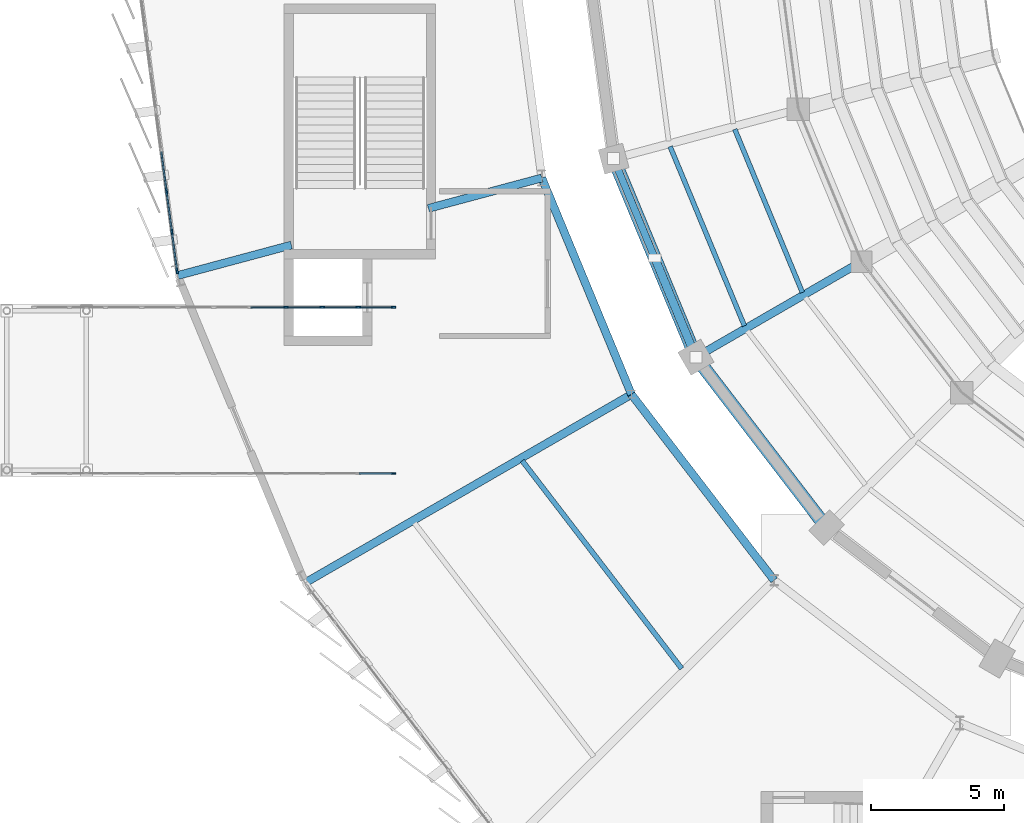
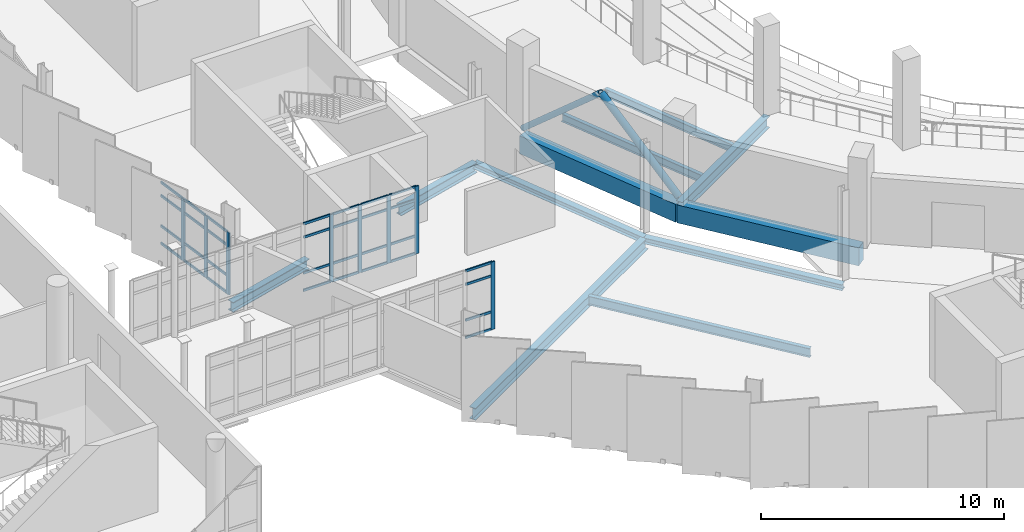
# One storey, part 31 of 134: 42 members, 11 beams, 3 elements without a shape of their own.
"""IFC4 building model written with IfcOpenShell, lengths in metres."""

from ifc_helpers import new_model, si_unit, direction, frame, origin, origin_2d, place, context, subcontext, project, spatial, rectangle, hollow_circle, i_section, extrude, material, layer, layer_set, material_profile, profile_set, type_object, element, aggregate, save


model = new_model("IFC4")

# Units and contexts
model_context = context("Model", 3, precision=1e-05, world=origin(), true_north=direction((0.0, 1.0)))
body_context = subcontext(model_context, "Body", "Model", "MODEL_VIEW")
ifc_project = project(units=[si_unit("LENGTHUNIT", "METRE"), si_unit("AREAUNIT", "SQUARE_METRE"), si_unit("VOLUMEUNIT", "CUBIC_METRE"), si_unit("PLANEANGLEUNIT", "RADIAN"), si_unit("MASSUNIT", "GRAM", prefix="KILO")], contexts=[model_context])

# Site, building, storey
site_placement = place(None, origin())
site = spatial("IfcSite", under=ifc_project, at=site_placement, CompositionType="ELEMENT")
building_placement = place(site_placement, origin())
building = spatial("IfcBuilding", under=site, at=building_placement, Name="Sohan Crest Arena", CompositionType="ELEMENT")
storey_placement = place(building_placement, frame((0.0, 0.0, 4.5)))
storey = spatial("IfcBuildingStorey", under=building, at=storey_placement, Name="L01", CompositionType="ELEMENT", Elevation=4.5)

# Curtain wall, member
ifc_material_1 = material(Name="Thermally broken anodised aluminium", Category="aluminium")
ifc_layer_1 = layer(ifc_material_1, 0.18994140625, Name="Thermally broken anodised aluminium")
ifc_layer_set_1 = layer_set([ifc_layer_1], Name="Thermally broken anodised aluminium")
curtain_wall_type_1 = type_object("IfcCurtainWallType", Name="ARC-CW05", PredefinedType="NOTDEFINED", material=ifc_layer_set_1)
curtain_wall_1_placement = place(storey_placement, origin())
curtain_wall_1 = element("IfcCurtainWall", 1, at=curtain_wall_1_placement, inside=storey, type_object=curtain_wall_type_1, Name="Unitised curtain wall CW-225", PredefinedType="NOTDEFINED")
ifc_material_profile_1 = material_profile(ifc_material_1, rectangle(XDim=0.06494140625, YDim=0.179931640625, at=origin_2d()), Name="ALU-MULL 65x180")
ifc_profile_set_1 = profile_set([ifc_material_profile_1], Name="Thermally broken anodised aluminium")
member_type_1 = type_object("IfcMemberType", Name="ARC-CW-ML02", PredefinedType="MULLION", material=ifc_profile_set_1)
member_1_placement = place(storey_placement, frame((59.767578125, 58.1201171875, 0.0), z_axis=(0.0, 0.0, 1.0), x_axis=(0.0, 1.0, 0.0)))
member_1 = element("IfcMember", 2, at=member_1_placement, type_object=member_type_1, Name="CW-225 mullion 11", PredefinedType="MULLION", context=body_context, shape_type="SweptSolid", body=[
    extrude(rectangle(XDim=0.06494140625, YDim=0.179931640625, at=origin_2d()), origin(), (0.0, 0.0, 1.0), 3.39990234375),
])

# Curtain wall, members
curtain_wall_2_placement = place(storey_placement, origin())
curtain_wall_2 = element("IfcCurtainWall", 3, at=curtain_wall_2_placement, inside=storey, type_object=curtain_wall_type_1, Name="Unitised curtain wall CW-226", PredefinedType="NOTDEFINED")
member_2_placement = place(storey_placement, frame((55.719970703125, 64.3798828125, 0.0), z_axis=(0.0, 0.0, 1.0), x_axis=(0.0, 1.0, 0.0)))
member_2 = element("IfcMember", 4, at=member_2_placement, type_object=member_type_1, Name="CW-226 mullion 8", PredefinedType="MULLION", context=body_context, shape_type="SweptSolid", body=[
    extrude(rectangle(XDim=0.06494140625, YDim=0.179931640625, at=origin_2d()), origin(), (0.0, 0.0, 1.0), 3.39990234375),
])
member_3_placement = place(storey_placement, frame((57.080078125, 64.3798828125, 0.0), z_axis=(0.0, 0.0, 1.0), x_axis=(0.0, 1.0, 0.0)))
member_3 = element("IfcMember", 5, at=member_3_placement, type_object=member_type_1, Name="CW-226 mullion 9", PredefinedType="MULLION", context=body_context, shape_type="SweptSolid", body=[
    extrude(rectangle(XDim=0.06494140625, YDim=0.179931640625, at=origin_2d()), origin(), (0.0, 0.0, 1.0), 3.39990234375),
])
member_4_placement = place(storey_placement, frame((58.43994140625, 64.3798828125, 0.0), z_axis=(0.0, 0.0, 1.0), x_axis=(0.0, 1.0, 0.0)))
member_4 = element("IfcMember", 6, at=member_4_placement, type_object=member_type_1, Name="CW-226 mullion 10", PredefinedType="MULLION", context=body_context, shape_type="SweptSolid", body=[
    extrude(rectangle(XDim=0.06494140625, YDim=0.179931640625, at=origin_2d()), origin(), (0.0, 0.0, 1.0), 3.39990234375),
])
member_5_placement = place(storey_placement, frame((59.767578125, 64.3798828125, 0.0), z_axis=(0.0, 0.0, 1.0), x_axis=(0.0, 1.0, 0.0)))
member_5 = element("IfcMember", 7, at=member_5_placement, type_object=member_type_1, Name="CW-226 mullion 11", PredefinedType="MULLION", context=body_context, shape_type="SweptSolid", body=[
    extrude(rectangle(XDim=0.06494140625, YDim=0.179931640625, at=origin_2d()), origin(), (0.0, 0.0, 1.0), 3.39990234375),
])

ifc_layer_2 = layer(ifc_material_1, 0.179931640625, Name="Thermally broken anodised aluminium")
ifc_layer_set_2 = layer_set([ifc_layer_2], Name="Thermally broken anodised aluminium")
curtain_wall_type_2 = type_object("IfcCurtainWallType", Name="ARC-CW01", PredefinedType="NOTDEFINED", material=ifc_layer_set_2)
curtain_wall_3_placement = place(storey_placement, origin())
curtain_wall_3 = element("IfcCurtainWall", 8, at=curtain_wall_3_placement, inside=storey, type_object=curtain_wall_type_2, Name="Unitised curtain wall CW-025", PredefinedType="NOTDEFINED")
ifc_material_profile_2 = material_profile(ifc_material_1, rectangle(XDim=0.070068359375, YDim=0.199951171875, at=origin_2d()), Name="ALU-MULL 70x200")
ifc_profile_set_2 = profile_set([ifc_material_profile_2], Name="Thermally broken anodised aluminium")
member_type_2 = type_object("IfcMemberType", Name="ARC-CW-ML03", PredefinedType="MULLION", material=ifc_profile_set_2)
member_6_placement = place(storey_placement, frame((51.218505859375, 68.747314453125, 0.0), z_axis=(0.0, 0.0, 1.0), x_axis=(0.991440142438, 0.130562031094, 0.0)))
member_6 = element("IfcMember", 9, at=member_6_placement, type_object=member_type_2, Name="CW-025 mullion 7", PredefinedType="MULLION", context=body_context, shape_type="SweptSolid", body=[
    extrude(rectangle(XDim=0.070068359375, YDim=0.199951171875, at=origin_2d()), origin(), (0.0, 0.0, 1.0), 3.1201171875),
])
member_7_placement = place(storey_placement, frame((51.418701171875, 67.2265625, 0.0), z_axis=(0.0, 0.0, 1.0), x_axis=(0.991440142438, 0.130562031094, 0.0)))
member_7 = element("IfcMember", 10, at=member_7_placement, type_object=member_type_2, Name="CW-025 mullion 8", PredefinedType="MULLION", context=body_context, shape_type="SweptSolid", body=[
    extrude(rectangle(XDim=0.070068359375, YDim=0.199951171875, at=origin_2d()), origin(), (0.0, 0.0, 1.0), 3.1201171875),
])
member_8_placement = place(storey_placement, frame((51.614501953125, 65.74072265625, 0.0), z_axis=(0.0, 0.0, 1.0), x_axis=(0.991440142438, 0.130562031094, 0.0)))
member_8 = element("IfcMember", 11, at=member_8_placement, type_object=member_type_2, Name="CW-025 mullion 9", PredefinedType="MULLION", context=body_context, shape_type="SweptSolid", body=[
    extrude(rectangle(XDim=0.070068359375, YDim=0.199951171875, at=origin_2d()), origin(), (0.0, 0.0, 1.0), 3.1201171875),
])
ifc_material_profile_3 = material_profile(ifc_material_1, rectangle(XDim=0.06005859375, YDim=0.1201171875, at=origin_2d()), Name="ALU-TRAN 60x120")
ifc_profile_set_3 = profile_set([ifc_material_profile_3], Name="Thermally broken anodised aluminium")
member_type_3 = type_object("IfcMemberType", Name="ARC-CW-TR01", PredefinedType="USERDEFINED", material=ifc_profile_set_3)
member_9_placement = place(storey_placement, frame((51.022705078125, 70.233154296875, 0.030029296875), z_axis=(0.130601209806, -0.991434982234, 0.0), x_axis=(0.991434982234, 0.130601209806, 0.0)))
member_9 = element("IfcMember", 12, at=member_9_placement, type_object=member_type_3, Name="CW-025 transom 6.1", ObjectType="TRANSOM", PredefinedType="USERDEFINED", context=body_context, shape_type="SweptSolid", body=[
    extrude(rectangle(XDim=0.06005859375, YDim=0.1201171875, at=origin_2d()), origin(), (0.0, 0.0, 1.0), 1.463623046875),
])
member_10_placement = place(storey_placement, frame((51.022705078125, 70.233154296875, 0.89990234375), z_axis=(0.130601209806, -0.991434982234, 0.0), x_axis=(0.991434982234, 0.130601209806, 0.0)))
member_10 = element("IfcMember", 13, at=member_10_placement, type_object=member_type_3, Name="CW-025 transom 6.2", ObjectType="TRANSOM", PredefinedType="USERDEFINED", context=body_context, shape_type="SweptSolid", body=[
    extrude(rectangle(XDim=0.06005859375, YDim=0.1201171875, at=origin_2d()), origin(), (0.0, 0.0, 1.0), 1.463623046875),
])
member_11_placement = place(storey_placement, frame((51.022705078125, 70.233154296875, 2.419921875), z_axis=(0.130601209806, -0.991434982234, 0.0), x_axis=(0.991434982234, 0.130601209806, 0.0)))
member_11 = element("IfcMember", 14, at=member_11_placement, type_object=member_type_3, Name="CW-025 transom 6.3", ObjectType="TRANSOM", PredefinedType="USERDEFINED", context=body_context, shape_type="SweptSolid", body=[
    extrude(rectangle(XDim=0.06005859375, YDim=0.1201171875, at=origin_2d()), origin(), (0.0, 0.0, 1.0), 1.463623046875),
])
member_12_placement = place(storey_placement, frame((51.022705078125, 70.233154296875, 3.090087890625), z_axis=(0.130601209806, -0.991434982234, 0.0), x_axis=(0.991434982234, 0.130601209806, 0.0)))
member_12 = element("IfcMember", 15, at=member_12_placement, type_object=member_type_3, Name="CW-025 transom 6.4", ObjectType="TRANSOM", PredefinedType="USERDEFINED", context=body_context, shape_type="SweptSolid", body=[
    extrude(rectangle(XDim=0.06005859375, YDim=0.1201171875, at=origin_2d()), origin(), (0.0, 0.0, 1.0), 1.463623046875),
])
member_13_placement = place(storey_placement, frame((51.22314453125, 68.712646484375, 0.030029296875), z_axis=(0.130415686048, -0.991459403522, 0.0), x_axis=(0.991459403522, 0.130415686048, 0.0)))
member_13 = element("IfcMember", 16, at=member_13_placement, type_object=member_type_3, Name="CW-025 transom 7.1", ObjectType="TRANSOM", PredefinedType="USERDEFINED", context=body_context, shape_type="SweptSolid", body=[
    extrude(rectangle(XDim=0.06005859375, YDim=0.1201171875, at=origin_2d()), origin(), (0.0, 0.0, 1.0), 1.4638671875),
])
member_14_placement = place(storey_placement, frame((51.22314453125, 68.712646484375, 0.89990234375), z_axis=(0.130415686048, -0.991459403522, 0.0), x_axis=(0.991459403522, 0.130415686048, 0.0)))
member_14 = element("IfcMember", 17, at=member_14_placement, type_object=member_type_3, Name="CW-025 transom 7.2", ObjectType="TRANSOM", PredefinedType="USERDEFINED", context=body_context, shape_type="SweptSolid", body=[
    extrude(rectangle(XDim=0.06005859375, YDim=0.1201171875, at=origin_2d()), origin(), (0.0, 0.0, 1.0), 1.4638671875),
])
member_15_placement = place(storey_placement, frame((51.22314453125, 68.712646484375, 2.419921875), z_axis=(0.130415686048, -0.991459403522, 0.0), x_axis=(0.991459403522, 0.130415686048, 0.0)))
member_15 = element("IfcMember", 18, at=member_15_placement, type_object=member_type_3, Name="CW-025 transom 7.3", ObjectType="TRANSOM", PredefinedType="USERDEFINED", context=body_context, shape_type="SweptSolid", body=[
    extrude(rectangle(XDim=0.06005859375, YDim=0.1201171875, at=origin_2d()), origin(), (0.0, 0.0, 1.0), 1.4638671875),
])
member_16_placement = place(storey_placement, frame((51.22314453125, 68.712646484375, 3.090087890625), z_axis=(0.130415686048, -0.991459403522, 0.0), x_axis=(0.991459403522, 0.130415686048, 0.0)))
member_16 = element("IfcMember", 19, at=member_16_placement, type_object=member_type_3, Name="CW-025 transom 7.4", ObjectType="TRANSOM", PredefinedType="USERDEFINED", context=body_context, shape_type="SweptSolid", body=[
    extrude(rectangle(XDim=0.06005859375, YDim=0.1201171875, at=origin_2d()), origin(), (0.0, 0.0, 1.0), 1.4638671875),
])
member_17_placement = place(storey_placement, frame((51.42333984375, 67.19189453125, 0.030029296875), z_axis=(0.130551758415, -0.991441495185, 0.0), x_axis=(0.991441495185, 0.130551758415, 0.0)))
member_17 = element("IfcMember", 20, at=member_17_placement, type_object=member_type_3, Name="CW-025 transom 8.1", ObjectType="TRANSOM", PredefinedType="USERDEFINED", context=body_context, shape_type="SweptSolid", body=[
    extrude(rectangle(XDim=0.06005859375, YDim=0.1201171875, at=origin_2d()), origin(), (0.0, 0.0, 1.0), 1.4287109375),
])
member_18_placement = place(storey_placement, frame((51.42333984375, 67.19189453125, 0.89990234375), z_axis=(0.130551758415, -0.991441495185, 0.0), x_axis=(0.991441495185, 0.130551758415, 0.0)))
member_18 = element("IfcMember", 21, at=member_18_placement, type_object=member_type_3, Name="CW-025 transom 8.2", ObjectType="TRANSOM", PredefinedType="USERDEFINED", context=body_context, shape_type="SweptSolid", body=[
    extrude(rectangle(XDim=0.06005859375, YDim=0.1201171875, at=origin_2d()), origin(), (0.0, 0.0, 1.0), 1.4287109375),
])
member_19_placement = place(storey_placement, frame((51.42333984375, 67.19189453125, 2.419921875), z_axis=(0.130551758415, -0.991441495185, 0.0), x_axis=(0.991441495185, 0.130551758415, 0.0)))
member_19 = element("IfcMember", 22, at=member_19_placement, type_object=member_type_3, Name="CW-025 transom 8.3", ObjectType="TRANSOM", PredefinedType="USERDEFINED", context=body_context, shape_type="SweptSolid", body=[
    extrude(rectangle(XDim=0.06005859375, YDim=0.1201171875, at=origin_2d()), origin(), (0.0, 0.0, 1.0), 1.4287109375),
])
member_20_placement = place(storey_placement, frame((51.42333984375, 67.19189453125, 3.090087890625), z_axis=(0.130551758415, -0.991441495185, 0.0), x_axis=(0.991441495185, 0.130551758415, 0.0)))
member_20 = element("IfcMember", 23, at=member_20_placement, type_object=member_type_3, Name="CW-025 transom 8.4", ObjectType="TRANSOM", PredefinedType="USERDEFINED", context=body_context, shape_type="SweptSolid", body=[
    extrude(rectangle(XDim=0.06005859375, YDim=0.1201171875, at=origin_2d()), origin(), (0.0, 0.0, 1.0), 1.4287109375),
])
aggregate(curtain_wall_3, [member_6, member_7, member_8, member_9, member_10, member_11, member_12, member_13, member_14, member_15, member_16, member_17, member_18, member_19, member_20])

# Member
member_21_placement = place(storey_placement, frame((58.472412109375, 58.1201171875, 0.030029296875), z_axis=(1.0, 0.0, 0.0), x_axis=(0.0, 1.0, 0.0)))
member_21 = element("IfcMember", 24, at=member_21_placement, type_object=member_type_3, Name="CW-225 transom 10.1", ObjectType="TRANSOM", PredefinedType="USERDEFINED", context=body_context, shape_type="SweptSolid", body=[
    extrude(rectangle(XDim=0.06005859375, YDim=0.1201171875, at=origin_2d()), origin(), (0.0, 0.0, 1.0), 1.2626953125),
])

member_22_placement = place(storey_placement, frame((58.472412109375, 58.1201171875, 0.89990234375), z_axis=(1.0, 0.0, 0.0), x_axis=(0.0, 1.0, 0.0)))
member_22 = element("IfcMember", 25, at=member_22_placement, type_object=member_type_3, Name="CW-225 transom 10.2", ObjectType="TRANSOM", PredefinedType="USERDEFINED", context=body_context, shape_type="SweptSolid", body=[
    extrude(rectangle(XDim=0.06005859375, YDim=0.1201171875, at=origin_2d()), origin(), (0.0, 0.0, 1.0), 1.2626953125),
])

member_23_placement = place(storey_placement, frame((58.472412109375, 58.1201171875, 2.699951171875), z_axis=(1.0, 0.0, 0.0), x_axis=(0.0, 1.0, 0.0)))
member_23 = element("IfcMember", 26, at=member_23_placement, type_object=member_type_3, Name="CW-225 transom 10.3", ObjectType="TRANSOM", PredefinedType="USERDEFINED", context=body_context, shape_type="SweptSolid", body=[
    extrude(rectangle(XDim=0.06005859375, YDim=0.1201171875, at=origin_2d()), origin(), (0.0, 0.0, 1.0), 1.2626953125),
])

member_24_placement = place(storey_placement, frame((58.472412109375, 58.1201171875, 3.3701171875), z_axis=(1.0, 0.0, 0.0), x_axis=(0.0, 1.0, 0.0)))
member_24 = element("IfcMember", 27, at=member_24_placement, type_object=member_type_3, Name="CW-225 transom 10.4", ObjectType="TRANSOM", PredefinedType="USERDEFINED", context=body_context, shape_type="SweptSolid", body=[
    extrude(rectangle(XDim=0.06005859375, YDim=0.1201171875, at=origin_2d()), origin(), (0.0, 0.0, 1.0), 1.2626953125),
])

aggregate(curtain_wall_1, [member_1, member_21, member_22, member_23, member_24])

member_25_placement = place(storey_placement, frame((54.392578125, 64.3798828125, 0.030029296875), z_axis=(1.0, 0.0, 0.0), x_axis=(0.0, 1.0, 0.0)))
member_25 = element("IfcMember", 28, at=member_25_placement, type_object=member_type_3, Name="CW-226 transom 7.1", ObjectType="TRANSOM", PredefinedType="USERDEFINED", context=body_context, shape_type="SweptSolid", body=[
    extrude(rectangle(XDim=0.06005859375, YDim=0.1201171875, at=origin_2d()), origin(), (0.0, 0.0, 1.0), 1.294921875),
])

member_26_placement = place(storey_placement, frame((54.392578125, 64.3798828125, 0.89990234375), z_axis=(1.0, 0.0, 0.0), x_axis=(0.0, 1.0, 0.0)))
member_26 = element("IfcMember", 29, at=member_26_placement, type_object=member_type_3, Name="CW-226 transom 7.2", ObjectType="TRANSOM", PredefinedType="USERDEFINED", context=body_context, shape_type="SweptSolid", body=[
    extrude(rectangle(XDim=0.06005859375, YDim=0.1201171875, at=origin_2d()), origin(), (0.0, 0.0, 1.0), 1.294921875),
])

member_27_placement = place(storey_placement, frame((54.392578125, 64.3798828125, 2.699951171875), z_axis=(1.0, 0.0, 0.0), x_axis=(0.0, 1.0, 0.0)))
member_27 = element("IfcMember", 30, at=member_27_placement, type_object=member_type_3, Name="CW-226 transom 7.3", ObjectType="TRANSOM", PredefinedType="USERDEFINED", context=body_context, shape_type="SweptSolid", body=[
    extrude(rectangle(XDim=0.06005859375, YDim=0.1201171875, at=origin_2d()), origin(), (0.0, 0.0, 1.0), 1.294921875),
])

member_28_placement = place(storey_placement, frame((54.392578125, 64.3798828125, 3.3701171875), z_axis=(1.0, 0.0, 0.0), x_axis=(0.0, 1.0, 0.0)))
member_28 = element("IfcMember", 31, at=member_28_placement, type_object=member_type_3, Name="CW-226 transom 7.4", ObjectType="TRANSOM", PredefinedType="USERDEFINED", context=body_context, shape_type="SweptSolid", body=[
    extrude(rectangle(XDim=0.06005859375, YDim=0.1201171875, at=origin_2d()), origin(), (0.0, 0.0, 1.0), 1.294921875),
])

member_29_placement = place(storey_placement, frame((55.75244140625, 64.3798828125, 0.030029296875), z_axis=(1.0, 0.0, 0.0), x_axis=(0.0, 1.0, 0.0)))
member_29 = element("IfcMember", 32, at=member_29_placement, type_object=member_type_3, Name="CW-226 transom 8.1", ObjectType="TRANSOM", PredefinedType="USERDEFINED", context=body_context, shape_type="SweptSolid", body=[
    extrude(rectangle(XDim=0.06005859375, YDim=0.1201171875, at=origin_2d()), origin(), (0.0, 0.0, 1.0), 1.295166015625),
])

member_30_placement = place(storey_placement, frame((55.75244140625, 64.3798828125, 0.89990234375), z_axis=(1.0, 0.0, 0.0), x_axis=(0.0, 1.0, 0.0)))
member_30 = element("IfcMember", 33, at=member_30_placement, type_object=member_type_3, Name="CW-226 transom 8.2", ObjectType="TRANSOM", PredefinedType="USERDEFINED", context=body_context, shape_type="SweptSolid", body=[
    extrude(rectangle(XDim=0.06005859375, YDim=0.1201171875, at=origin_2d()), origin(), (0.0, 0.0, 1.0), 1.295166015625),
])

member_31_placement = place(storey_placement, frame((55.75244140625, 64.3798828125, 2.699951171875), z_axis=(1.0, 0.0, 0.0), x_axis=(0.0, 1.0, 0.0)))
member_31 = element("IfcMember", 34, at=member_31_placement, type_object=member_type_3, Name="CW-226 transom 8.3", ObjectType="TRANSOM", PredefinedType="USERDEFINED", context=body_context, shape_type="SweptSolid", body=[
    extrude(rectangle(XDim=0.06005859375, YDim=0.1201171875, at=origin_2d()), origin(), (0.0, 0.0, 1.0), 1.295166015625),
])

member_32_placement = place(storey_placement, frame((55.75244140625, 64.3798828125, 3.3701171875), z_axis=(1.0, 0.0, 0.0), x_axis=(0.0, 1.0, 0.0)))
member_32 = element("IfcMember", 35, at=member_32_placement, type_object=member_type_3, Name="CW-226 transom 8.4", ObjectType="TRANSOM", PredefinedType="USERDEFINED", context=body_context, shape_type="SweptSolid", body=[
    extrude(rectangle(XDim=0.06005859375, YDim=0.1201171875, at=origin_2d()), origin(), (0.0, 0.0, 1.0), 1.295166015625),
])

member_33_placement = place(storey_placement, frame((57.112548828125, 64.3798828125, 0.030029296875), z_axis=(1.0, 0.0, 0.0), x_axis=(0.0, 1.0, 0.0)))
member_33 = element("IfcMember", 36, at=member_33_placement, type_object=member_type_3, Name="CW-226 transom 9.1", ObjectType="TRANSOM", PredefinedType="USERDEFINED", context=body_context, shape_type="SweptSolid", body=[
    extrude(rectangle(XDim=0.06005859375, YDim=0.1201171875, at=origin_2d()), origin(), (0.0, 0.0, 1.0), 1.294921875),
])

member_34_placement = place(storey_placement, frame((57.112548828125, 64.3798828125, 0.89990234375), z_axis=(1.0, 0.0, 0.0), x_axis=(0.0, 1.0, 0.0)))
member_34 = element("IfcMember", 37, at=member_34_placement, type_object=member_type_3, Name="CW-226 transom 9.2", ObjectType="TRANSOM", PredefinedType="USERDEFINED", context=body_context, shape_type="SweptSolid", body=[
    extrude(rectangle(XDim=0.06005859375, YDim=0.1201171875, at=origin_2d()), origin(), (0.0, 0.0, 1.0), 1.294921875),
])

member_35_placement = place(storey_placement, frame((57.112548828125, 64.3798828125, 2.699951171875), z_axis=(1.0, 0.0, 0.0), x_axis=(0.0, 1.0, 0.0)))
member_35 = element("IfcMember", 38, at=member_35_placement, type_object=member_type_3, Name="CW-226 transom 9.3", ObjectType="TRANSOM", PredefinedType="USERDEFINED", context=body_context, shape_type="SweptSolid", body=[
    extrude(rectangle(XDim=0.06005859375, YDim=0.1201171875, at=origin_2d()), origin(), (0.0, 0.0, 1.0), 1.294921875),
])

member_36_placement = place(storey_placement, frame((57.112548828125, 64.3798828125, 3.3701171875), z_axis=(1.0, 0.0, 0.0), x_axis=(0.0, 1.0, 0.0)))
member_36 = element("IfcMember", 39, at=member_36_placement, type_object=member_type_3, Name="CW-226 transom 9.4", ObjectType="TRANSOM", PredefinedType="USERDEFINED", context=body_context, shape_type="SweptSolid", body=[
    extrude(rectangle(XDim=0.06005859375, YDim=0.1201171875, at=origin_2d()), origin(), (0.0, 0.0, 1.0), 1.294921875),
])

member_37_placement = place(storey_placement, frame((58.472412109375, 64.3798828125, 0.030029296875), z_axis=(1.0, 0.0, 0.0), x_axis=(0.0, 1.0, 0.0)))
member_37 = element("IfcMember", 40, at=member_37_placement, type_object=member_type_3, Name="CW-226 transom 10.1", ObjectType="TRANSOM", PredefinedType="USERDEFINED", context=body_context, shape_type="SweptSolid", body=[
    extrude(rectangle(XDim=0.06005859375, YDim=0.1201171875, at=origin_2d()), origin(), (0.0, 0.0, 1.0), 1.2626953125),
])

member_38_placement = place(storey_placement, frame((58.472412109375, 64.3798828125, 0.89990234375), z_axis=(1.0, 0.0, 0.0), x_axis=(0.0, 1.0, 0.0)))
member_38 = element("IfcMember", 41, at=member_38_placement, type_object=member_type_3, Name="CW-226 transom 10.2", ObjectType="TRANSOM", PredefinedType="USERDEFINED", context=body_context, shape_type="SweptSolid", body=[
    extrude(rectangle(XDim=0.06005859375, YDim=0.1201171875, at=origin_2d()), origin(), (0.0, 0.0, 1.0), 1.2626953125),
])

member_39_placement = place(storey_placement, frame((58.472412109375, 64.3798828125, 2.699951171875), z_axis=(1.0, 0.0, 0.0), x_axis=(0.0, 1.0, 0.0)))
member_39 = element("IfcMember", 42, at=member_39_placement, type_object=member_type_3, Name="CW-226 transom 10.3", ObjectType="TRANSOM", PredefinedType="USERDEFINED", context=body_context, shape_type="SweptSolid", body=[
    extrude(rectangle(XDim=0.06005859375, YDim=0.1201171875, at=origin_2d()), origin(), (0.0, 0.0, 1.0), 1.2626953125),
])

member_40_placement = place(storey_placement, frame((58.472412109375, 64.3798828125, 3.3701171875), z_axis=(1.0, 0.0, 0.0), x_axis=(0.0, 1.0, 0.0)))
member_40 = element("IfcMember", 43, at=member_40_placement, type_object=member_type_3, Name="CW-226 transom 10.4", ObjectType="TRANSOM", PredefinedType="USERDEFINED", context=body_context, shape_type="SweptSolid", body=[
    extrude(rectangle(XDim=0.06005859375, YDim=0.1201171875, at=origin_2d()), origin(), (0.0, 0.0, 1.0), 1.2626953125),
])

aggregate(curtain_wall_2, [member_2, member_3, member_4, member_5, member_25, member_26, member_27, member_28, member_29, member_30, member_31, member_32, member_33, member_34, member_35, member_36, member_37, member_38, member_39, member_40])

# Beams
ifc_material_2 = material(Name="Steel S355", Category="steel")
ifc_material_profile_4 = material_profile(ifc_material_2, i_section(OverallWidth=0.179931640625, OverallDepth=0.39990234375, WebThickness=0.008544921875, FlangeThickness=0.013427734375, at=origin_2d()), Name="IPE 400")
ifc_profile_set_4 = profile_set([ifc_material_profile_4], Name="Steel S355")
beam_type_1 = type_object("IfcBeamType", Name="STR-BM-B03", PredefinedType="JOIST", material=ifc_profile_set_4)
beam_1_placement = place(storey_placement, frame((72.618896484375, 71.0859375, -0.449951171875), z_axis=(0.382711680136, -0.923867831396, 0.0), x_axis=(0.923867831396, 0.382711680136, 0.0)))
element("IfcBeam", 44, at=beam_1_placement, inside=storey, type_object=beam_type_1, Name="Structural beam J-L01-0221", PredefinedType="JOIST", context=body_context, shape_type="SweptSolid", body=[
    extrude(i_section(OverallWidth=0.179931640625, OverallDepth=0.39990234375, WebThickness=0.008544921875, FlangeThickness=0.013427734375, at=origin_2d()), origin(), (0.0, 0.0, 1.0), 6.650390625),
])
beam_2_placement = place(storey_placement, frame((70.18408203125, 70.43408203125, -0.449951171875), z_axis=(0.382800197818, -0.923831158032, 0.0), x_axis=(0.923831158032, 0.382800197818, 0.0)))
element("IfcBeam", 45, at=beam_2_placement, inside=storey, type_object=beam_type_1, Name="Structural beam J-L01-0222", PredefinedType="JOIST", context=body_context, shape_type="SweptSolid", body=[
    extrude(i_section(OverallWidth=0.179931640625, OverallDepth=0.39990234375, WebThickness=0.008544921875, FlangeThickness=0.013427734375, at=origin_2d()), origin(), (0.0, 0.0, 1.0), 7.308837890625),
])
ifc_material_profile_5 = material_profile(ifc_material_2, i_section(OverallWidth=0.18994140625, OverallDepth=0.449951171875, WebThickness=0.009521484375, FlangeThickness=0.0146484375, at=origin_2d()), Name="IPE 450")
ifc_profile_set_5 = profile_set([ifc_material_profile_5], Name="Steel S355")
beam_type_2 = type_object("IfcBeamType", Name="STR-BM-B04", PredefinedType="JOIST", material=ifc_profile_set_5)
beam_3_placement = place(storey_placement, frame((64.614013671875, 58.59912109375, -0.5), z_axis=(0.608739091659, -0.793370479843, 0.0), x_axis=(0.793370479843, 0.608739091659, 0.0)))
element("IfcBeam", 46, at=beam_3_placement, inside=storey, type_object=beam_type_2, Name="Structural beam J-L01-1125", PredefinedType="JOIST", context=body_context, shape_type="SweptSolid", body=[
    extrude(i_section(OverallWidth=0.18994140625, OverallDepth=0.449951171875, WebThickness=0.009521484375, FlangeThickness=0.0146484375, at=origin_2d()), origin(), (0.0, 0.0, 1.0), 9.864501953125),
])
ifc_material_profile_6 = material_profile(ifc_material_2, i_section(OverallWidth=0.300048828125, OverallDepth=0.590087890625, WebThickness=0.012939453125, FlangeThickness=0.02490234375, at=origin_2d()), Name="HEA 600")
ifc_profile_set_6 = profile_set([ifc_material_profile_6], Name="Steel S355")
beam_type_3 = type_object("IfcBeamType", Name="STR-BM-B11", PredefinedType="BEAM", material=ifc_profile_set_6)
beam_4_placement = place(storey_placement, frame((77.388916015625, 66.10009765625, -0.544921875), z_axis=(-0.866035395735, -0.499982693035, 0.0), x_axis=(0.499982693035, -0.866035395735, 0.0)))
element("IfcBeam", 47, at=beam_4_placement, inside=storey, type_object=beam_type_3, Name="Structural beam G-L01-0242", PredefinedType="BEAM", context=body_context, shape_type="SweptSolid", body=[
    extrude(i_section(OverallWidth=0.300048828125, OverallDepth=0.590087890625, WebThickness=0.012939453125, FlangeThickness=0.02490234375, at=origin_2d()), origin(), (0.0, 0.0, 1.0), 7.200439453125),
])
beam_5_placement = place(storey_placement, frame((68.72802734375, 61.10009765625, -0.570068359375), z_axis=(-0.86601465089, -0.500018624098, 0.0), x_axis=(0.500018624098, -0.86601465089, 0.0)))
element("IfcBeam", 48, at=beam_5_placement, inside=storey, type_object=beam_type_3, Name="Structural beam G-L01-1122", PredefinedType="BEAM", context=body_context, shape_type="SweptSolid", body=[
    extrude(i_section(OverallWidth=0.300048828125, OverallDepth=0.590087890625, WebThickness=0.012939453125, FlangeThickness=0.02490234375, at=origin_2d()), origin(), (0.0, 0.0, 1.0), 14.19970703125),
])
ifc_material_profile_7 = material_profile(ifc_material_2, i_section(OverallWidth=0.300048828125, OverallDepth=0.300048828125, WebThickness=0.010986328125, FlangeThickness=0.01904296875, at=origin_2d()), Name="HEB 300")
ifc_profile_set_7 = profile_set([ifc_material_profile_7], Name="Steel S355")
beam_type_4 = type_object("IfcBeamType", Name="STR-BM-B12", PredefinedType="BEAM", material=ifc_profile_set_7)
beam_6_placement = place(storey_placement, frame((65.35205078125, 69.251953125, -0.425048828125), z_axis=(0.38262224111, -0.923904876385, 0.0), x_axis=(0.923904876385, 0.38262224111, 0.0)))
element("IfcBeam", 49, at=beam_6_placement, inside=storey, type_object=beam_type_4, Name="Structural beam G-L01-1120", PredefinedType="BEAM", context=body_context, shape_type="SweptSolid", body=[
    extrude(i_section(OverallWidth=0.300048828125, OverallDepth=0.300048828125, WebThickness=0.010986328125, FlangeThickness=0.01904296875, at=origin_2d()), origin(), (0.0, 0.0, 1.0), 8.8232421875),
])
beam_7_placement = place(storey_placement, frame((68.72802734375, 61.10009765625, -0.425048828125), z_axis=(0.608817165336, -0.793310569192, 0.0), x_axis=(0.793310569192, 0.608817165336, 0.0)))
element("IfcBeam", 50, at=beam_7_placement, inside=storey, type_object=beam_type_4, Name="Structural beam G-L01-1123", PredefinedType="BEAM", context=body_context, shape_type="SweptSolid", body=[
    extrude(i_section(OverallWidth=0.300048828125, OverallDepth=0.300048828125, WebThickness=0.010986328125, FlangeThickness=0.01904296875, at=origin_2d()), origin(), (0.0, 0.0, 1.0), 8.82373046875),
])
ifc_material_profile_8 = material_profile(ifc_material_2, i_section(OverallWidth=0.300048828125, OverallDepth=0.5, WebThickness=0.014404296875, FlangeThickness=0.028076171875, at=origin_2d()), Name="HEB 500")
ifc_profile_set_8 = profile_set([ifc_material_profile_8], Name="Steel S355")
beam_type_5 = type_object("IfcBeamType", Name="STR-BM-B14", PredefinedType="BEAM", material=ifc_profile_set_8)
beam_8_placement = place(storey_placement, frame((65.35205078125, 69.251953125, -0.52490234375), z_axis=(-0.965906157738, -0.258892437981, 0.0), x_axis=(0.258892437981, -0.965906157738, 0.0)))
element("IfcBeam", 51, at=beam_8_placement, inside=storey, type_object=beam_type_5, Name="Structural beam G-L01-1118", PredefinedType="BEAM", context=body_context, shape_type="SweptSolid", body=[
    extrude(i_section(OverallWidth=0.300048828125, OverallDepth=0.5, WebThickness=0.014404296875, FlangeThickness=0.028076171875, at=origin_2d()), origin(), (0.0, 0.0, 1.0), 4.4228515625),
])
beam_9_placement = place(storey_placement, frame((55.919921875, 66.72509765625, -0.52490234375), z_axis=(-0.965907995401, -0.258885581716, 0.0), x_axis=(0.258885581716, -0.965907995401, 0.0)))
element("IfcBeam", 52, at=beam_9_placement, inside=storey, type_object=beam_type_5, Name="Structural beam G-L01-1119", PredefinedType="BEAM", context=body_context, shape_type="SweptSolid", body=[
    extrude(i_section(OverallWidth=0.300048828125, OverallDepth=0.5, WebThickness=0.014404296875, FlangeThickness=0.028076171875, at=origin_2d()), origin(), (0.0, 0.0, 1.0), 4.43505859375),
])
ifc_material_3 = material(Name="Concrete C40/50", Category="concrete")
ifc_material_profile_9 = material_profile(ifc_material_3, rectangle(XDim=0.5, YDim=0.89990234375, at=origin_2d()), Name="RC-BM 500x900")
ifc_profile_set_9 = profile_set([ifc_material_profile_9], Name="Concrete C40/50")
beam_type_6 = type_object("IfcBeamType", Name="STR-BM-TB03", PredefinedType="BEAM", material=ifc_profile_set_9)
beam_10_placement = place(storey_placement, frame((68.055908203125, 69.97705078125, -0.699951171875), z_axis=(0.382691039498, -0.923876381497, 0.0), x_axis=(0.923876381497, 0.382691039498, 0.0)))
element("IfcBeam", 53, at=beam_10_placement, inside=storey, type_object=beam_type_6, Name="Structural beam TB-L01-0219", PredefinedType="BEAM", context=body_context, shape_type="SweptSolid", body=[
    extrude(rectangle(XDim=0.5, YDim=0.89990234375, at=origin_2d()), origin(), (0.0, 0.0, 1.0), 8.093017578125),
])
beam_11_placement = place(storey_placement, frame((71.153076171875, 62.5, -0.699951171875), z_axis=(0.608825408167, -0.793304243257, 0.0), x_axis=(0.793304243257, 0.608825408167, 0.0)))
element("IfcBeam", 54, at=beam_11_placement, inside=storey, type_object=beam_type_6, Name="Structural beam TB-L01-0241", PredefinedType="BEAM", context=body_context, shape_type="SweptSolid", body=[
    extrude(rectangle(XDim=0.5, YDim=0.89990234375, at=origin_2d()), origin(), (0.0, 0.0, 1.0), 8.092529296875),
])

# Members
ifc_material_profile_10 = material_profile(ifc_material_2, hollow_circle(Radius=0.136474609375, WallThickness=0.012451171875, at=origin_2d()), Name="CHS 273x12.5")
ifc_profile_set_10 = profile_set([ifc_material_profile_10], Name="Steel S355")
member_type_4 = type_object("IfcMemberType", Name="STR-MEM-BR02", PredefinedType="BRACE", material=ifc_profile_set_10)
member_41_placement = place(storey_placement, frame((68.055908203125, 69.97705078125, 0.0), z_axis=(0.289545983611, -0.698697959822, 0.654205078179), x_axis=(0.923816031855, 0.38283670055, 0.0)))
element("IfcMember", 55, at=member_41_placement, inside=storey, type_object=member_type_4, Name="Concentric lateral chevron brace BR-011", PredefinedType="BRACE", context=body_context, shape_type="SweptSolid", body=[
    extrude(hollow_circle(Radius=0.136474609375, WallThickness=0.012451171875, at=origin_2d()), origin(), (0.0, 0.0, 1.0), 5.35009765625),
])
ifc_material_profile_11 = material_profile(ifc_material_2, hollow_circle(Radius=0.161865234375, WallThickness=0.012451171875, at=origin_2d()), Name="CHS 323.9x12.5")
ifc_profile_set_11 = profile_set([ifc_material_profile_11], Name="Steel S355")
member_type_5 = type_object("IfcMemberType", Name="STR-MEM-BR03", PredefinedType="BRACE", material=ifc_profile_set_11)
member_42_placement = place(storey_placement, frame((71.153076171875, 62.5, 0.0), z_axis=(-0.289341830525, 0.698828281736, 0.654156202871), x_axis=(-0.923936700295, -0.382545387958, 0.0)))
element("IfcMember", 56, at=member_42_placement, inside=storey, type_object=member_type_5, Name="Concentric lateral chevron brace BR-012", PredefinedType="BRACE", context=body_context, shape_type="SweptSolid", body=[
    extrude(hollow_circle(Radius=0.161865234375, WallThickness=0.012451171875, at=origin_2d()), origin(), (0.0, 0.0, 1.0), 5.350341796875),
])

save(model, "model.ifc")
